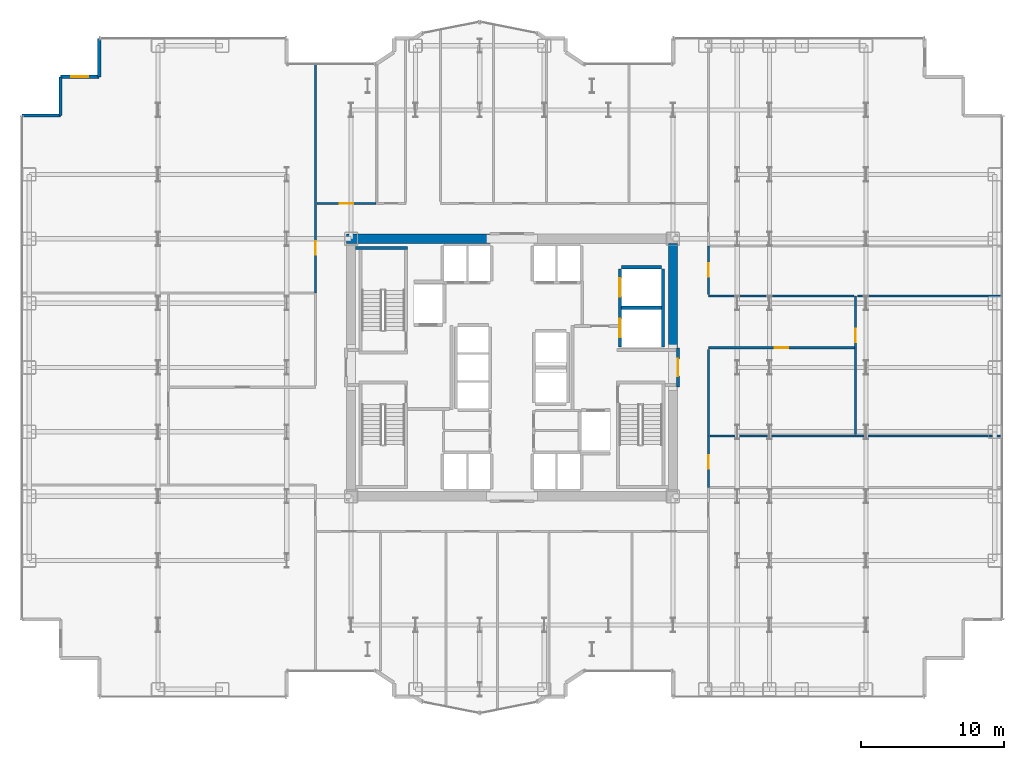
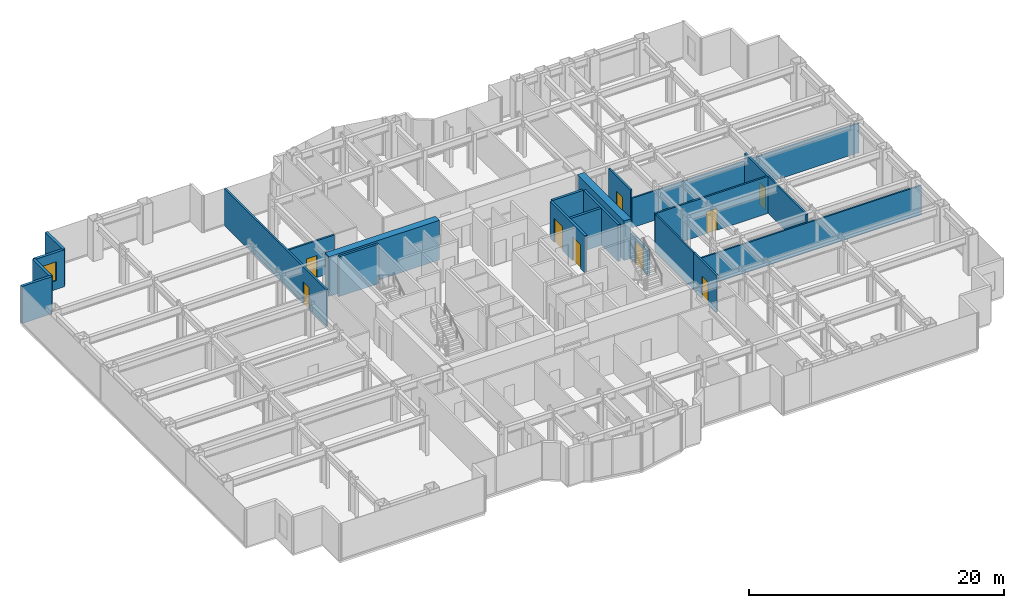
# One storey, part 23 of 26: 22 walls, 9 doors, 1 window, 10 openings.
"""IFC4 building model written with IfcOpenShell, lengths in metres."""

from ifc_helpers import new_model, si_unit, direction, frame, frame_2d, origin, place, context, subcontext, project, spatial, rectangle, extrude, source, transform, mapped, material, layer, layer_set, type_object, element, fill, save


model = new_model("IFC4")

# Units and contexts
model_context = context("Model", 3, precision=1e-05, world=origin(), true_north=direction((0.0, 1.0)))
body_context = subcontext(model_context, "Body", "Model", "MODEL_VIEW")
ifc_project = project(units=[si_unit("LENGTHUNIT", "METRE"), si_unit("AREAUNIT", "SQUARE_METRE"), si_unit("VOLUMEUNIT", "CUBIC_METRE"), si_unit("PLANEANGLEUNIT", "RADIAN"), si_unit("MASSUNIT", "GRAM", prefix="KILO")], contexts=[model_context])

# Site, building, storey
site_placement = place(None, origin())
site = spatial("IfcSite", under=ifc_project, at=site_placement, CompositionType="ELEMENT")
building_placement = place(site_placement, origin())
building = spatial("IfcBuilding", under=site, at=building_placement, Name="Nefas-Gora Pilgrimage Tower", CompositionType="ELEMENT")
storey_placement = place(building_placement, frame((0.0, 0.0, 40.60009765625)))
storey = spatial("IfcBuildingStorey", under=building, at=storey_placement, Name="L08", CompositionType="ELEMENT", Elevation=40.60009765625)

# Walls
ifc_material_1 = material(Name="Concrete C60/75", Category="concrete")
ifc_layer_1 = layer(ifc_material_1, 0.64990234375)
ifc_layer_set_1 = layer_set([ifc_layer_1], Name="Concrete C60/75")
wall_type_1 = type_object("IfcWallType", Name="SW-CORE-650", PredefinedType="SHEAR", material=ifc_layer_set_1)
shared_shape_1 = source(origin(), body_context, "Body", "SweptSolid", [
    extrude(rectangle(XDim=10.02490234375, YDim=0.64990234375, at=frame_2d((5.012451171875, 0.0))), origin(), (0.0, 0.0, 1.0), 3.7998046875),
])
wall_1_placement = place(storey_placement, frame((-11.574951171875, 9.0, 0.0), z_axis=(0.0, 0.0, 1.0), x_axis=(1.0, 0.0, 0.0)))
element("IfcWall", 1, at=wall_1_placement, inside=storey, type_object=wall_type_1, Name="L08 Core Shear Wall N-West", PredefinedType="SHEAR", context=body_context, shape_type="MappedRepresentation", body=[
    mapped(shared_shape_1, transform((0.0, 0.0, 0.0), x_axis=(1.0, 0.0, 0.0), y_axis=(0.0, 1.0, 0.0), z_axis=(0.0, 0.0, 1.0), scale=1.0)),
])
shared_shape_2 = source(origin(), body_context, "Body", "SweptSolid", [
    extrude(rectangle(XDim=7.324951171875, YDim=0.64990234375, at=frame_2d((3.66259765625, 0.0))), origin(), (0.0, 0.0, 1.0), 3.7998046875),
])
wall_2_placement = place(storey_placement, frame((11.25, 1.35009765625, 0.0), z_axis=(0.0, 0.0, 1.0), x_axis=(0.0, 1.0, 0.0)))
element("IfcWall", 2, at=wall_2_placement, inside=storey, type_object=wall_type_1, Name="L08 Core Shear Wall E-North", PredefinedType="SHEAR", context=body_context, shape_type="MappedRepresentation", body=[
    mapped(shared_shape_2, transform((0.0, 0.0, 0.0), x_axis=(1.0, 0.0, 0.0), y_axis=(0.0, 1.0, 0.0), z_axis=(0.0, 0.0, 1.0), scale=1.0)),
])
ifc_material_2 = material(Name="Precast concrete C45/55", Category="concrete")
ifc_layer_2 = layer(ifc_material_2, 0.239990234375)
ifc_layer_set_2 = layer_set([ifc_layer_2], Name="Precast concrete C45/55")
wall_type_2 = type_object("IfcWallType", Name="EW-SERR-240", PredefinedType="SHEAR", material=ifc_layer_set_2)
shared_shape_3 = source(origin(), body_context, "Body", "SweptSolid", [
    extrude(rectangle(XDim=2.699951171875, YDim=0.239990234375, at=frame_2d((1.35009765625, 0.0))), origin(), (0.0, 0.0, 1.0), 3.5498046875),
])
wall_3_placement = place(storey_placement, frame((-28.8701171875, 23.02001953125, 0.0), z_axis=(0.0, 0.0, 1.0), x_axis=(0.0, -1.0, 0.0)))
element("IfcWall", 3, at=wall_3_placement, inside=storey, type_object=wall_type_2, Name="L08 Serrated Corner Shear Pier Wall 20", PredefinedType="SHEAR", context=body_context, shape_type="MappedRepresentation", body=[
    mapped(shared_shape_3, transform((0.0, 0.0, 0.0), x_axis=(1.0, 0.0, 0.0), y_axis=(0.0, 1.0, 0.0), z_axis=(0.0, 0.0, 1.0), scale=1.0)),
])

# Wall, opening, window
wall_4_placement = place(storey_placement, frame((-28.8701171875, 20.320068359375, 0.0), z_axis=(0.0, 0.0, 1.0), x_axis=(-1.0, 0.0, 0.0)))
wall_4 = element("IfcWall", 4, at=wall_4_placement, inside=storey, type_object=wall_type_2, Name="L08 Serrated Corner Shear Pier Wall 21", PredefinedType="SHEAR", context=body_context, shape_type="MappedRepresentation", body=[
    mapped(shared_shape_3, transform((0.0, 0.0, 0.0), x_axis=(1.0, 0.0, 0.0), y_axis=(0.0, 1.0, 0.0), z_axis=(0.0, 0.0, 1.0), scale=1.0)),
])
opening_1_placement = place(wall_4_placement, frame((0.75, 0.0, 0.85009765625)))
opening_1 = element("IfcOpeningElement", 5, at=opening_1_placement, cuts=wall_4, Name="Opening W-V1", PredefinedType="OPENING", context=body_context, shape_type="SweptSolid", body=[
    extrude(rectangle(XDim=1.199951171875, YDim=1.800048828125, at=frame_2d((0.60009765625, 0.89990234375))), frame((0.0, 0.1298828125, 0.0), z_axis=(0.0, -1.0, 0.0), x_axis=(1.0, 0.0, 0.0)), (0.0, 0.0, 1.0), 0.260009765625),
])
ifc_material_3 = material(Name="Dark ceramic-fritted operable aluminium-glass window", Category="aluminium")
window_type = type_object("IfcWindowType", Name="WIN-VENT-1200x1800", PartitioningType="SINGLE_PANEL", PredefinedType="WINDOW", material=ifc_material_3)
shared_shape_4 = source(origin(), body_context, "Body", "SweptSolid", [
    extrude(rectangle(XDim=1.199951171875, YDim=1.800048828125, at=frame_2d((0.60009765625, 0.89990234375))), frame((0.0, 0.030029296875, 0.0), z_axis=(0.0, -1.0, 0.0), x_axis=(1.0, 0.0, 0.0)), (0.0, 0.0, 1.0), 0.06005859375),
])
window_placement = place(opening_1_placement, origin())
window = element("IfcWindow", 6, at=window_placement, inside=storey, type_object=window_type, Name="L08 Operable Parallel-Outswing Window 21", OverallHeight=1.800048828125, OverallWidth=1.199951171875, PartitioningType="SINGLE_PANEL", PredefinedType="WINDOW", context=body_context, shape_type="MappedRepresentation", body=[
    mapped(shared_shape_4, transform((0.0, 0.0, 0.0), x_axis=(1.0, 0.0, 0.0), y_axis=(0.0, 1.0, 0.0), z_axis=(0.0, 0.0, 1.0), scale=1.0)),
])
fill(opening_1, window)

# Walls
for number, where, z_axis, x_axis, name in (
    (7, (-31.570068359375, 20.320068359375, 0.0), (0.0, 0.0, 1.0), (0.0, -1.0, 0.0), "L08 Serrated Corner Shear Pier Wall 22"),
    (8, (-31.570068359375, 17.6201171875, 0.0), (0.0, 0.0, 1.0), (-1.0, 0.0, 0.0), "L08 Serrated Corner Shear Pier Wall 23"),
):
    element("IfcWall", number, at=place(storey_placement, frame(where, z_axis=z_axis, x_axis=x_axis)), inside=storey, type_object=wall_type_2, Name=name, PredefinedType="SHEAR", context=body_context, shape_type="MappedRepresentation", body=[
        mapped(shared_shape_3, transform((0.0, 0.0, 0.0), x_axis=(1.0, 0.0, 0.0), y_axis=(0.0, 1.0, 0.0), z_axis=(0.0, 0.0, 1.0), scale=1.0)),
    ])
ifc_material_4 = material(Name="Concrete C45/55", Category="concrete")
ifc_layer_3 = layer(ifc_material_4, 0.199951171875)
ifc_layer_set_3 = layer_set([ifc_layer_3], Name="Concrete C45/55")
wall_type_3 = type_object("IfcWallType", Name="IW-STAIR-200", PredefinedType="SOLIDWALL", material=ifc_layer_set_3)
shared_shape_5 = source(origin(), body_context, "Body", "SweptSolid", [
    extrude(rectangle(XDim=3.6298828125, YDim=0.199951171875, at=frame_2d((1.81494140625, 0.0))), origin(), (0.0, 0.0, 1.0), 3.7998046875),
])
wall_5_placement = place(storey_placement, frame((-7.300048828125, 8.35009765625, 0.0), z_axis=(0.0, 0.0, 1.0), x_axis=(-1.0, 0.0, 0.0)))
element("IfcWall", 9, at=wall_5_placement, inside=storey, type_object=wall_type_3, Name="L08 Stairwell Shear Wall ST-01-far", PredefinedType="SOLIDWALL", context=body_context, shape_type="MappedRepresentation", body=[
    mapped(shared_shape_5, transform((0.0, 0.0, 0.0), x_axis=(1.0, 0.0, 0.0), y_axis=(0.0, 1.0, 0.0), z_axis=(0.0, 0.0, 1.0), scale=1.0)),
])

# Wall, openings, doors
ifc_material_5 = material(Name="Concrete C40/50", Category="concrete")
ifc_layer_4 = layer(ifc_material_5, 0.219970703125)
ifc_layer_set_4 = layer_set([ifc_layer_4], Name="Concrete C40/50")
wall_type_4 = type_object("IfcWallType", Name="IW-SHAFT-220", PredefinedType="SOLIDWALL", material=ifc_layer_set_4)
shared_shape_6 = source(origin(), body_context, "Body", "SweptSolid", [
    extrude(rectangle(XDim=5.449951171875, YDim=0.219970703125, at=frame_2d((2.72509765625, 0.0))), origin(), (0.0, 0.0, 1.0), 3.534912109375),
])
wall_6_placement = place(storey_placement, frame((7.5400390625, 6.89990234375, 0.0), z_axis=(0.0, 0.0, 1.0), x_axis=(0.0, -1.0, 0.0)))
wall_6 = element("IfcWall", 10, at=wall_6_placement, inside=storey, type_object=wall_type_4, Name="L08 Hoistway Wall SL-01-02-W", PredefinedType="SOLIDWALL", context=body_context, shape_type="MappedRepresentation", body=[
    mapped(shared_shape_6, transform((0.0, 0.0, 0.0), x_axis=(1.0, 0.0, 0.0), y_axis=(0.0, 1.0, 0.0), z_axis=(0.0, 0.0, 1.0), scale=1.0)),
])
opening_2_placement = place(wall_6_placement, frame((3.5, 0.0, 0.0)))
opening_2 = element("IfcOpeningElement", 11, at=opening_2_placement, cuts=wall_6, Name="Opening LD-SV", PredefinedType="OPENING", context=body_context, shape_type="SweptSolid", body=[
    extrude(rectangle(XDim=1.300048828125, YDim=2.300048828125, at=frame_2d((0.64990234375, 1.14990234375))), frame((0.0, 0.119873046875, 0.0), z_axis=(0.0, -1.0, 0.0), x_axis=(1.0, 0.0, 0.0)), (0.0, 0.0, 1.0), 0.239990234375),
])
opening_3_placement = place(wall_6_placement, frame((0.64990234375, 0.0, 0.0)))
opening_3 = element("IfcOpeningElement", 12, at=opening_3_placement, cuts=wall_6, Name="Opening LD-SV", PredefinedType="OPENING", context=body_context, shape_type="SweptSolid", body=[
    extrude(rectangle(XDim=1.300048828125, YDim=2.300048828125, at=frame_2d((0.64990234375, 1.14990234375))), frame((0.0, 0.119873046875, 0.0), z_axis=(0.0, -1.0, 0.0), x_axis=(1.0, 0.0, 0.0)), (0.0, 0.0, 1.0), 0.239990234375),
])
ifc_material_6 = material(Name="Heavy goods sliding lift landing door")
door_type_1 = type_object("IfcDoorType", Name="DR-LIFT-SERV-1300", OperationType="SLIDING_TO_RIGHT", PredefinedType="DOOR", material=ifc_material_6)
shared_shape_7 = source(origin(), body_context, "Body", "SweptSolid", [
    extrude(rectangle(XDim=1.300048828125, YDim=2.300048828125, at=frame_2d((0.64990234375, 1.14990234375))), frame((0.0, 0.02490234375, 0.0), z_axis=(0.0, -1.0, 0.0), x_axis=(1.0, 0.0, 0.0)), (0.0, 0.0, 1.0), 0.050048828125),
])
door_1_placement = place(opening_2_placement, origin())
door_1 = element("IfcDoor", 13, at=door_1_placement, inside=storey, type_object=door_type_1, Name="L08 Sliding Lift Landing Door SL-01", OperationType="SLIDING_TO_RIGHT", OverallHeight=2.300048828125, OverallWidth=1.300048828125, PredefinedType="DOOR", context=body_context, shape_type="MappedRepresentation", body=[
    mapped(shared_shape_7, transform((0.0, 0.0, 0.0), x_axis=(1.0, 0.0, 0.0), y_axis=(0.0, 1.0, 0.0), z_axis=(0.0, 0.0, 1.0), scale=1.0)),
])
fill(opening_2, door_1)
door_2_placement = place(opening_3_placement, origin())
door_2 = element("IfcDoor", 14, at=door_2_placement, inside=storey, type_object=door_type_1, Name="L08 Sliding Lift Landing Door SL-02", OperationType="SLIDING_TO_RIGHT", OverallHeight=2.300048828125, OverallWidth=1.300048828125, PredefinedType="DOOR", context=body_context, shape_type="MappedRepresentation", body=[
    mapped(shared_shape_7, transform((0.0, 0.0, 0.0), x_axis=(1.0, 0.0, 0.0), y_axis=(0.0, 1.0, 0.0), z_axis=(0.0, 0.0, 1.0), scale=1.0)),
])
fill(opening_3, door_2)

# Walls
wall_7_placement = place(storey_placement, frame((10.56005859375, 1.449951171875, 0.0), z_axis=(0.0, 0.0, 1.0), x_axis=(0.0, 1.0, 0.0)))
element("IfcWall", 15, at=wall_7_placement, inside=storey, type_object=wall_type_4, Name="L08 Hoistway Wall SL-01-02-E", PredefinedType="SOLIDWALL", context=body_context, shape_type="MappedRepresentation", body=[
    mapped(shared_shape_6, transform((0.0, 0.0, 0.0), x_axis=(1.0, 0.0, 0.0), y_axis=(0.0, 1.0, 0.0), z_axis=(0.0, 0.0, 1.0), scale=1.0)),
])
shared_shape_8 = source(origin(), body_context, "Body", "SweptSolid", [
    extrude(rectangle(XDim=2.780029296875, YDim=0.219970703125, at=frame_2d((1.39013671875, 0.0))), origin(), (0.0, 0.0, 1.0), 3.534912109375),
])
for number, where, z_axis, x_axis, name in (
    (16, (7.659912109375, 4.175048828125, 0.0), (0.0, 0.0, 1.0), (1.0, 0.0, 0.0), "L08 Hoistway Wall SL-01-02-DIV"),
    (17, (10.43994140625, 7.010009765625, 0.0), (0.0, 0.0, 1.0), (-1.0, 0.0, 0.0), "L08 Hoistway Wall SL-02-N"),
):
    element("IfcWall", number, at=place(storey_placement, frame(where, z_axis=z_axis, x_axis=x_axis)), inside=storey, type_object=wall_type_4, Name=name, PredefinedType="SOLIDWALL", context=body_context, shape_type="MappedRepresentation", body=[
        mapped(shared_shape_8, transform((0.0, 0.0, 0.0), x_axis=(1.0, 0.0, 0.0), y_axis=(0.0, 1.0, 0.0), z_axis=(0.0, 0.0, 1.0), scale=1.0)),
    ])

# Wall, opening, door
ifc_material_7 = material(Name="Gypsum acoustic stud partition")
ifc_layer_5 = layer(ifc_material_7, 0.159912109375)
ifc_layer_set_5 = layer_set([ifc_layer_5], Name="Gypsum acoustic stud partition")
wall_type_5 = type_object("IfcWallType", Name="IW-CORR-160", PredefinedType="PARTITIONING", material=ifc_layer_set_5)
shared_shape_9 = source(origin(), body_context, "Body", "SweptSolid", [
    extrude(rectangle(XDim=10.25, YDim=0.159912109375, at=frame_2d((5.125, 0.0))), origin(), (0.0, 0.0, 1.0), 3.534912109375),
])
wall_8_placement = place(storey_placement, frame((13.72998046875, 1.3798828125, 0.0), z_axis=(0.0, 0.0, 1.0), x_axis=(1.0, 0.0, 0.0)))
wall_8 = element("IfcWall", 18, at=wall_8_placement, inside=storey, type_object=wall_type_5, Name="L08 Pilgrim Contemplative Lounge Partition Wall 39", PredefinedType="PARTITIONING", context=body_context, shape_type="MappedRepresentation", body=[
    mapped(shared_shape_9, transform((0.0, 0.0, 0.0), x_axis=(1.0, 0.0, 0.0), y_axis=(0.0, 1.0, 0.0), z_axis=(0.0, 0.0, 1.0), scale=1.0)),
])
opening_4_placement = place(wall_8_placement, frame((4.64990234375, 0.0, 0.0)))
opening_4 = element("IfcOpeningElement", 19, at=opening_4_placement, cuts=wall_8, Name="Opening ID-GR1", PredefinedType="OPENING", context=body_context, shape_type="SweptSolid", body=[
    extrude(rectangle(XDim=0.949951171875, YDim=2.10009765625, at=frame_2d((0.47509765625, 1.050048828125))), frame((0.0, 0.08984375, 0.0), z_axis=(0.0, -1.0, 0.0), x_axis=(1.0, 0.0, 0.0)), (0.0, 0.0, 1.0), 0.179931640625),
])
ifc_material_8 = material(Name="Solid core oak fire-rated guest entrance door")
door_type_2 = type_object("IfcDoorType", Name="DR-INT-GUEST-950", OperationType="NOTDEFINED", PredefinedType="DOOR", material=ifc_material_8)
shared_shape_10 = source(origin(), body_context, "Body", "SweptSolid", [
    extrude(rectangle(XDim=0.949951171875, YDim=2.10009765625, at=frame_2d((0.47509765625, 1.050048828125))), frame((0.0, 0.02490234375, 0.0), z_axis=(0.0, -1.0, 0.0), x_axis=(1.0, 0.0, 0.0)), (0.0, 0.0, 1.0), 0.050048828125),
])
door_3_placement = place(opening_4_placement, origin())
door_3 = element("IfcDoor", 20, at=door_3_placement, inside=storey, type_object=door_type_2, Name="L08 Pilgrim Contemplative Lounge Door 17", OperationType="SINGLE_SWING_LEFT", OverallHeight=2.10009765625, OverallWidth=0.949951171875, PredefinedType="DOOR", context=body_context, shape_type="MappedRepresentation", body=[
    mapped(shared_shape_10, transform((0.0, 0.0, 0.0), x_axis=(1.0, 0.0, 0.0), y_axis=(0.0, 1.0, 0.0), z_axis=(0.0, 0.0, 1.0), scale=1.0)),
])
fill(opening_4, door_3)

shared_shape_11 = source(origin(), body_context, "Body", "SweptSolid", [
    extrude(rectangle(XDim=16.044921875, YDim=0.159912109375, at=frame_2d((8.0224609375, 0.0))), origin(), (0.0, 0.0, 1.0), 3.534912109375),
])
wall_9_placement = place(storey_placement, frame((-13.739990234375, 5.195068359375, 0.0), z_axis=(0.0, 0.0, 1.0), x_axis=(0.0, 1.0, 0.0)))
wall_9 = element("IfcWall", 21, at=wall_9_placement, inside=storey, type_object=wall_type_5, Name="L08 Pilgrim Contemplative Lounge Partition Wall 34", PredefinedType="PARTITIONING", context=body_context, shape_type="MappedRepresentation", body=[
    mapped(shared_shape_11, transform((0.0, 0.0, 0.0), x_axis=(1.0, 0.0, 0.0), y_axis=(0.0, 1.0, 0.0), z_axis=(0.0, 0.0, 1.0), scale=1.0)),
])
opening_5_placement = place(wall_9_placement, frame((2.6826171875, 0.0, 0.0)))
opening_5 = element("IfcOpeningElement", 22, at=opening_5_placement, cuts=wall_9, Name="Opening ID-GR1", PredefinedType="OPENING", context=body_context, shape_type="SweptSolid", body=[
    extrude(rectangle(XDim=0.949951171875, YDim=2.10009765625, at=frame_2d((0.47509765625, 1.050048828125))), frame((0.0, 0.08984375, 0.0), z_axis=(0.0, -1.0, 0.0), x_axis=(1.0, 0.0, 0.0)), (0.0, 0.0, 1.0), 0.179931640625),
])
door_4_placement = place(opening_5_placement, origin())
door_4 = element("IfcDoor", 23, at=door_4_placement, inside=storey, type_object=door_type_2, Name="L08 Pilgrim Contemplative Lounge Door 14", OperationType="SINGLE_SWING_RIGHT", OverallHeight=2.10009765625, OverallWidth=0.949951171875, PredefinedType="DOOR", context=body_context, shape_type="MappedRepresentation", body=[
    mapped(shared_shape_10, transform((0.0, 0.0, 0.0), x_axis=(1.0, 0.0, 0.0), y_axis=(0.0, 1.0, 0.0), z_axis=(0.0, 0.0, 1.0), scale=1.0)),
])
fill(opening_5, door_4)

shared_shape_12 = source(origin(), body_context, "Body", "SweptSolid", [
    extrude(rectangle(XDim=3.610107421875, YDim=0.159912109375, at=frame_2d((1.80517578125, 0.0))), origin(), (0.0, 0.0, 1.0), 3.534912109375),
])
wall_10_placement = place(storey_placement, frame((13.739990234375, -8.405029296875, 0.0), z_axis=(0.0, 0.0, 1.0), x_axis=(0.0, 1.0, 0.0)))
wall_10 = element("IfcWall", 24, at=wall_10_placement, inside=storey, type_object=wall_type_5, Name="L08 Pilgrim Contemplative Lounge Partition Wall 37", PredefinedType="PARTITIONING", context=body_context, shape_type="MappedRepresentation", body=[
    mapped(shared_shape_12, transform((0.0, 0.0, 0.0), x_axis=(1.0, 0.0, 0.0), y_axis=(0.0, 1.0, 0.0), z_axis=(0.0, 0.0, 1.0), scale=1.0)),
])
opening_6_placement = place(wall_10_placement, frame((1.330078125, 0.0, 0.0)))
opening_6 = element("IfcOpeningElement", 25, at=opening_6_placement, cuts=wall_10, Name="Opening ID-GR1", PredefinedType="OPENING", context=body_context, shape_type="SweptSolid", body=[
    extrude(rectangle(XDim=0.949951171875, YDim=2.10009765625, at=frame_2d((0.47509765625, 1.050048828125))), frame((0.0, 0.08984375, 0.0), z_axis=(0.0, -1.0, 0.0), x_axis=(1.0, 0.0, 0.0)), (0.0, 0.0, 1.0), 0.179931640625),
])
door_5_placement = place(opening_6_placement, origin())
door_5 = element("IfcDoor", 26, at=door_5_placement, inside=storey, type_object=door_type_2, Name="L08 Pilgrim Contemplative Lounge Door 16", OperationType="SINGLE_SWING_RIGHT", OverallHeight=2.10009765625, OverallWidth=0.949951171875, PredefinedType="DOOR", context=body_context, shape_type="MappedRepresentation", body=[
    mapped(shared_shape_10, transform((0.0, 0.0, 0.0), x_axis=(1.0, 0.0, 0.0), y_axis=(0.0, 1.0, 0.0), z_axis=(0.0, 0.0, 1.0), scale=1.0)),
])
fill(opening_6, door_5)

# Wall
ifc_material_9 = material(Name="Gypsum twin-stud partition")
ifc_layer_6 = layer(ifc_material_9, 0.139892578125)
ifc_layer_set_6 = layer_set([ifc_layer_6], Name="Gypsum twin-stud partition")
wall_type_6 = type_object("IfcWallType", Name="IW-UNIT-140", PredefinedType="PARTITIONING", material=ifc_layer_set_6)
shared_shape_13 = source(origin(), body_context, "Body", "SweptSolid", [
    extrude(rectangle(XDim=6.06494140625, YDim=0.139892578125, at=frame_2d((3.032470703125, 0.0))), origin(), (0.0, 0.0, 1.0), 3.534912109375),
])
wall_11_placement = place(storey_placement, frame((13.739990234375, -4.804931640625, 0.0), z_axis=(0.0, 0.0, 1.0), x_axis=(0.0, 1.0, 0.0)))
element("IfcWall", 27, at=wall_11_placement, inside=storey, type_object=wall_type_6, Name="L08 Pilgrim Contemplative Lounge Partition Wall 40", PredefinedType="PARTITIONING", context=body_context, shape_type="MappedRepresentation", body=[
    mapped(shared_shape_13, transform((0.0, 0.0, 0.0), x_axis=(1.0, 0.0, 0.0), y_axis=(0.0, 1.0, 0.0), z_axis=(0.0, 0.0, 1.0), scale=1.0)),
])

# Wall, opening, door
shared_shape_14 = source(origin(), body_context, "Body", "SweptSolid", [
    extrude(rectangle(XDim=9.699951171875, YDim=0.159912109375, at=frame_2d((4.85009765625, 0.0))), origin(), (0.0, 0.0, 1.0), 3.534912109375),
])
wall_12_placement = place(storey_placement, frame((24.02001953125, -4.695068359375, 0.0), z_axis=(0.0, 0.0, 1.0), x_axis=(0.0, 1.0, 0.0)))
wall_12 = element("IfcWall", 28, at=wall_12_placement, inside=storey, type_object=wall_type_5, Name="L08 Pilgrim Contemplative Lounge Partition Wall 41", PredefinedType="PARTITIONING", context=body_context, shape_type="MappedRepresentation", body=[
    mapped(shared_shape_14, transform((0.0, 0.0, 0.0), x_axis=(1.0, 0.0, 0.0), y_axis=(0.0, 1.0, 0.0), z_axis=(0.0, 0.0, 1.0), scale=1.0)),
])
opening_7_placement = place(wall_12_placement, frame((6.469970703125, 0.0, 0.0)))
opening_7 = element("IfcOpeningElement", 29, at=opening_7_placement, cuts=wall_12, Name="Opening ID-GR1", PredefinedType="OPENING", context=body_context, shape_type="SweptSolid", body=[
    extrude(rectangle(XDim=0.949951171875, YDim=2.10009765625, at=frame_2d((0.47509765625, 1.050048828125))), frame((0.0, 0.08984375, 0.0), z_axis=(0.0, -1.0, 0.0), x_axis=(1.0, 0.0, 0.0)), (0.0, 0.0, 1.0), 0.179931640625),
])
door_6_placement = place(opening_7_placement, origin())
door_6 = element("IfcDoor", 30, at=door_6_placement, inside=storey, type_object=door_type_2, Name="L08 Pilgrim Contemplative Lounge Door 18", OperationType="SINGLE_SWING_RIGHT", OverallHeight=2.10009765625, OverallWidth=0.949951171875, PredefinedType="DOOR", context=body_context, shape_type="MappedRepresentation", body=[
    mapped(shared_shape_10, transform((0.0, 0.0, 0.0), x_axis=(1.0, 0.0, 0.0), y_axis=(0.0, 1.0, 0.0), z_axis=(0.0, 0.0, 1.0), scale=1.0)),
])
fill(opening_7, door_6)

# Wall
shared_shape_15 = source(origin(), body_context, "Body", "SweptSolid", [
    extrude(rectangle(XDim=10.169921875, YDim=0.139892578125, at=frame_2d((5.0849609375, 0.0))), origin(), (0.0, 0.0, 1.0), 2.824951171875),
])
wall_13_placement = place(storey_placement, frame((13.72998046875, 4.9951171875, 0.0), z_axis=(0.0, 0.0, 1.0), x_axis=(1.0, 0.0, 0.0)))
element("IfcWall", 31, at=wall_13_placement, inside=storey, type_object=wall_type_6, Name="L08 Pilgrim Contemplative Lounge Partition Wall 42", PredefinedType="PARTITIONING", context=body_context, shape_type="MappedRepresentation", body=[
    mapped(shared_shape_15, transform((0.0, 0.0, 0.0), x_axis=(1.0, 0.0, 0.0), y_axis=(0.0, 1.0, 0.0), z_axis=(0.0, 0.0, 1.0), scale=1.0)),
])

# Wall, opening, door
shared_shape_16 = source(origin(), body_context, "Body", "SweptSolid", [
    extrude(rectangle(XDim=3.39990234375, YDim=0.159912109375, at=frame_2d((1.699951171875, 0.0))), origin(), (0.0, 0.0, 1.0), 3.534912109375),
])
wall_14_placement = place(storey_placement, frame((13.739990234375, 5.10498046875, 0.0), z_axis=(0.0, 0.0, 1.0), x_axis=(0.0, 1.0, 0.0)))
wall_14 = element("IfcWall", 32, at=wall_14_placement, inside=storey, type_object=wall_type_5, Name="L08 Pilgrim Contemplative Lounge Partition Wall 44", PredefinedType="PARTITIONING", context=body_context, shape_type="MappedRepresentation", body=[
    mapped(shared_shape_16, transform((0.0, 0.0, 0.0), x_axis=(1.0, 0.0, 0.0), y_axis=(0.0, 1.0, 0.0), z_axis=(0.0, 0.0, 1.0), scale=1.0)),
])
opening_8_placement = place(wall_14_placement, frame((1.22509765625, 0.0, 0.0)))
opening_8 = element("IfcOpeningElement", 33, at=opening_8_placement, cuts=wall_14, Name="Opening ID-GR1", PredefinedType="OPENING", context=body_context, shape_type="SweptSolid", body=[
    extrude(rectangle(XDim=0.949951171875, YDim=2.10009765625, at=frame_2d((0.47509765625, 1.050048828125))), frame((0.0, 0.08984375, 0.0), z_axis=(0.0, -1.0, 0.0), x_axis=(1.0, 0.0, 0.0)), (0.0, 0.0, 1.0), 0.179931640625),
])
door_7_placement = place(opening_8_placement, origin())
door_7 = element("IfcDoor", 34, at=door_7_placement, inside=storey, type_object=door_type_2, Name="L08 Pilgrim Contemplative Lounge Door 19", OperationType="SINGLE_SWING_LEFT", OverallHeight=2.10009765625, OverallWidth=0.949951171875, PredefinedType="DOOR", context=body_context, shape_type="MappedRepresentation", body=[
    mapped(shared_shape_10, transform((0.0, 0.0, 0.0), x_axis=(1.0, 0.0, 0.0), y_axis=(0.0, 1.0, 0.0), z_axis=(0.0, 0.0, 1.0), scale=1.0)),
])
fill(opening_8, door_7)

shared_shape_17 = source(origin(), body_context, "Body", "SweptSolid", [
    extrude(rectangle(XDim=4.125, YDim=0.159912109375, at=frame_2d((2.0625, 0.0))), origin(), (0.0, 0.0, 1.0), 3.534912109375),
])
wall_15_placement = place(storey_placement, frame((-13.6201171875, 11.469970703125, 0.0), z_axis=(0.0, 0.0, 1.0), x_axis=(1.0, 0.0, 0.0)))
wall_15 = element("IfcWall", 35, at=wall_15_placement, inside=storey, type_object=wall_type_5, Name="L08 Pilgrim Contemplative Lounge Partition Wall 47", PredefinedType="PARTITIONING", context=body_context, shape_type="MappedRepresentation", body=[
    mapped(shared_shape_17, transform((0.0, 0.0, 0.0), x_axis=(1.0, 0.0, 0.0), y_axis=(0.0, 1.0, 0.0), z_axis=(0.0, 0.0, 1.0), scale=1.0)),
])
opening_9_placement = place(wall_15_placement, frame((1.58740234375, 0.0, 0.0)))
opening_9 = element("IfcOpeningElement", 36, at=opening_9_placement, cuts=wall_15, Name="Opening ID-GR1", PredefinedType="OPENING", context=body_context, shape_type="SweptSolid", body=[
    extrude(rectangle(XDim=0.949951171875, YDim=2.10009765625, at=frame_2d((0.47509765625, 1.050048828125))), frame((0.0, 0.08984375, 0.0), z_axis=(0.0, -1.0, 0.0), x_axis=(1.0, 0.0, 0.0)), (0.0, 0.0, 1.0), 0.179931640625),
])
door_8_placement = place(opening_9_placement, origin())
door_8 = element("IfcDoor", 37, at=door_8_placement, inside=storey, type_object=door_type_2, Name="L08 Pilgrim Contemplative Lounge Door 21", OperationType="SINGLE_SWING_LEFT", OverallHeight=2.10009765625, OverallWidth=0.949951171875, PredefinedType="DOOR", context=body_context, shape_type="MappedRepresentation", body=[
    mapped(shared_shape_10, transform((0.0, 0.0, 0.0), x_axis=(1.0, 0.0, 0.0), y_axis=(0.0, 1.0, 0.0), z_axis=(0.0, 0.0, 1.0), scale=1.0)),
])
fill(opening_9, door_8)

# Walls
shared_shape_18 = source(origin(), body_context, "Body", "SweptSolid", [
    extrude(rectangle(XDim=20.429931640625, YDim=0.139892578125, at=frame_2d((10.21484375, 0.0))), origin(), (0.0, 0.0, 1.0), 2.824951171875),
])
wall_16_placement = place(storey_placement, frame((13.860107421875, -4.804931640625, 0.0), z_axis=(0.0, 0.0, 1.0), x_axis=(1.0, 0.0, 0.0)))
element("IfcWall", 38, at=wall_16_placement, inside=storey, type_object=wall_type_6, Name="L08 Pilgrim Contemplative Lounge Partition Wall 38", PredefinedType="PARTITIONING", context=body_context, shape_type="MappedRepresentation", body=[
    mapped(shared_shape_18, transform((0.0, 0.0, 0.0), x_axis=(1.0, 0.0, 0.0), y_axis=(0.0, 1.0, 0.0), z_axis=(0.0, 0.0, 1.0), scale=1.0)),
])
shared_shape_19 = source(origin(), body_context, "Body", "SweptSolid", [
    extrude(rectangle(XDim=10.150146484375, YDim=0.139892578125, at=frame_2d((5.0751953125, 0.0))), origin(), (0.0, 0.0, 1.0), 2.824951171875),
])
wall_17_placement = place(storey_placement, frame((24.139892578125, 4.9951171875, 0.0), z_axis=(0.0, 0.0, 1.0), x_axis=(1.0, 0.0, 0.0)))
element("IfcWall", 39, at=wall_17_placement, inside=storey, type_object=wall_type_6, Name="L08 Pilgrim Contemplative Lounge Partition Wall 43", PredefinedType="PARTITIONING", context=body_context, shape_type="MappedRepresentation", body=[
    mapped(shared_shape_19, transform((0.0, 0.0, 0.0), x_axis=(1.0, 0.0, 0.0), y_axis=(0.0, 1.0, 0.0), z_axis=(0.0, 0.0, 1.0), scale=1.0)),
])

# Wall, opening, door
ifc_material_10 = material(Name="Gypsum fire-rated shaftwall")
ifc_layer_7 = layer(ifc_material_10, 0.199951171875)
ifc_layer_set_7 = layer_set([ifc_layer_7], Name="Gypsum fire-rated shaftwall")
wall_type_7 = type_object("IfcWallType", Name="IW-FFLOB-200", PredefinedType="PARTITIONING", material=ifc_layer_set_7)
shared_shape_20 = source(origin(), body_context, "Body", "SweptSolid", [
    extrude(rectangle(XDim=2.7001953125, YDim=0.199951171875, at=frame_2d((1.35009765625, 0.0))), origin(), (0.0, 0.0, 1.0), 2.4248046875),
])
wall_18_placement = place(storey_placement, frame((11.60009765625, -1.35009765625, 0.0), z_axis=(0.0, 0.0, 1.0), x_axis=(0.0, 1.0, 0.0)))
wall_18 = element("IfcWall", 40, at=wall_18_placement, inside=storey, type_object=wall_type_7, Name="L08 FF Lobby East Portal Wall 8", PredefinedType="PARTITIONING", context=body_context, shape_type="MappedRepresentation", body=[
    mapped(shared_shape_20, transform((0.0, 0.0, 0.0), x_axis=(1.0, 0.0, 0.0), y_axis=(0.0, 1.0, 0.0), z_axis=(0.0, 0.0, 1.0), scale=1.0)),
])
opening_10_placement = place(wall_18_placement, frame((0.75, 0.0, 0.0)))
opening_10 = element("IfcOpeningElement", 41, at=opening_10_placement, cuts=wall_18, Name="Opening ID-FF1", PredefinedType="OPENING", context=body_context, shape_type="SweptSolid", body=[
    extrude(rectangle(XDim=1.199951171875, YDim=2.14990234375, at=frame_2d((0.60009765625, 1.074951171875))), frame((0.0, 0.10986328125, 0.0), z_axis=(0.0, -1.0, 0.0), x_axis=(1.0, 0.0, 0.0)), (0.0, 0.0, 1.0), 0.219970703125),
])
ifc_material_11 = material(Name="Smoke-sealed steel firefighting lobby door", Category="steel")
door_type_3 = type_object("IfcDoorType", Name="DR-INT-FFLOB-1200", OperationType="NOTDEFINED", PredefinedType="DOOR", material=ifc_material_11)
shared_shape_21 = source(origin(), body_context, "Body", "SweptSolid", [
    extrude(rectangle(XDim=1.199951171875, YDim=2.14990234375, at=frame_2d((0.60009765625, 1.074951171875))), frame((0.0, 0.02490234375, 0.0), z_axis=(0.0, -1.0, 0.0), x_axis=(1.0, 0.0, 0.0)), (0.0, 0.0, 1.0), 0.050048828125),
])
door_9_placement = place(opening_10_placement, origin())
door_9 = element("IfcDoor", 42, at=door_9_placement, inside=storey, type_object=door_type_3, Name="L08 FF Lobby East Portal Door 2", OperationType="SINGLE_SWING_RIGHT", OverallHeight=2.14990234375, OverallWidth=1.199951171875, PredefinedType="DOOR", context=body_context, shape_type="MappedRepresentation", body=[
    mapped(shared_shape_21, transform((0.0, 0.0, 0.0), x_axis=(1.0, 0.0, 0.0), y_axis=(0.0, 1.0, 0.0), z_axis=(0.0, 0.0, 1.0), scale=1.0)),
])
fill(opening_10, door_9)

save(model, "model.ifc")
